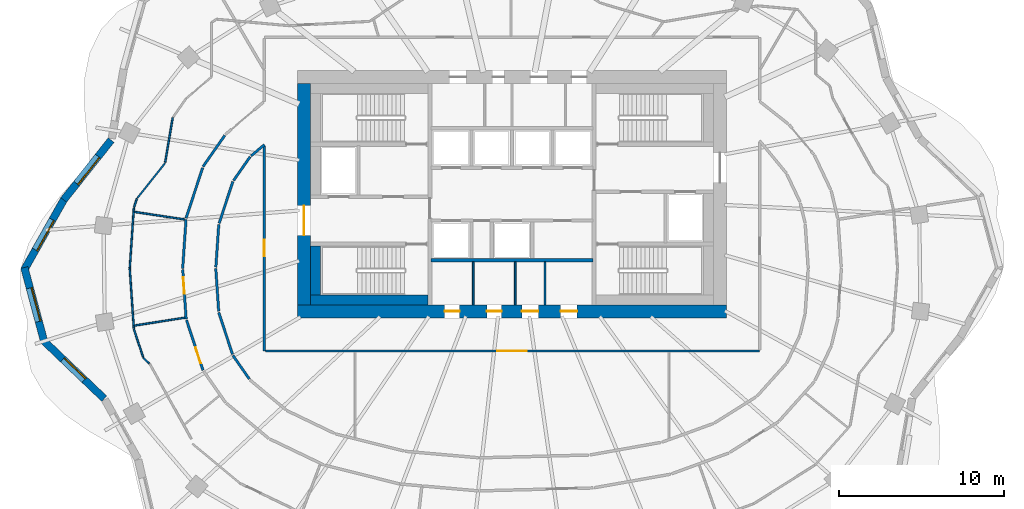
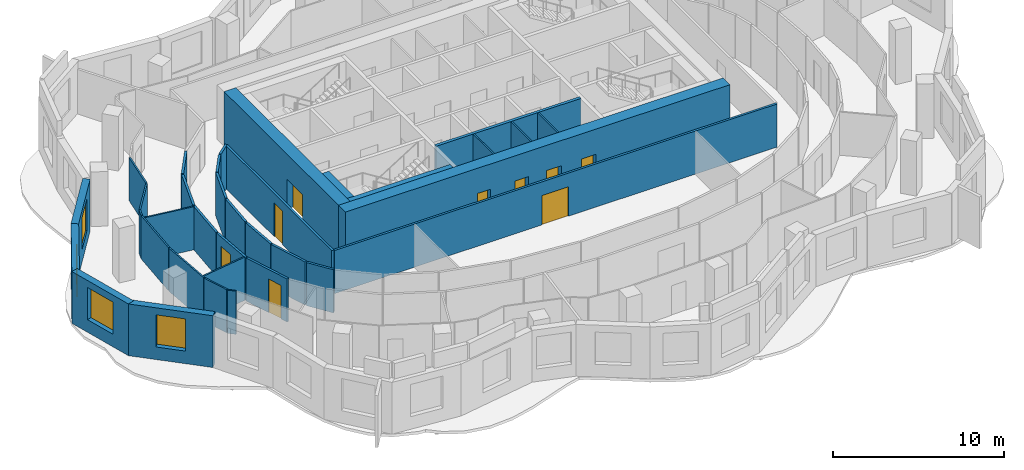
# One storey, part 4 of 10: 35 walls, 9 doors, 4 windows, 13 openings.
"""IFC4 building model written with IfcOpenShell, lengths in metres."""

from ifc_helpers import new_model, si_unit, direction, frame, frame_2d, origin, place, context, subcontext, project, spatial, rectangle, extrude, material, layer, layer_set, type_object, element, fill, save


model = new_model("IFC4")

# Units and contexts
model_context = context("Model", 3, precision=1e-05, world=origin(), true_north=direction((0.0, 1.0)))
body_context = subcontext(model_context, "Body", "Model", "MODEL_VIEW")
ifc_project = project(units=[si_unit("LENGTHUNIT", "METRE"), si_unit("AREAUNIT", "SQUARE_METRE"), si_unit("VOLUMEUNIT", "CUBIC_METRE"), si_unit("PLANEANGLEUNIT", "RADIAN"), si_unit("MASSUNIT", "GRAM", prefix="KILO")], contexts=[model_context])

# Site, building, storey
site_placement = place(None, origin())
site = spatial("IfcSite", under=ifc_project, at=site_placement, CompositionType="ELEMENT")
building_placement = place(site_placement, origin())
building = spatial("IfcBuilding", under=site, at=building_placement, Name="Rubra Terraces Tower", CompositionType="ELEMENT")
storey_placement = place(building_placement, frame((0.0, 0.0, 205.199951171875)))
storey = spatial("IfcBuildingStorey", under=building, at=storey_placement, Name="L50", CompositionType="ELEMENT", Elevation=205.199951171875)

# Wall, opening, window
ifc_material_1 = material(Name="Brick masonry red-brown", Category="masonry")
ifc_layer_1 = layer(ifc_material_1, 0.449951171875)
ifc_layer_set_1 = layer_set([ifc_layer_1], Name="Brick masonry red-brown")
wall_type_1 = type_object("IfcWallType", Name="Brick facade wall 450", PredefinedType="SOLIDWALL", material=ifc_layer_set_1)
wall_1_placement = place(storey_placement, frame((-24.2822265625, 7.773681640625, 0.0), z_axis=(0.0, 0.0, 1.0), x_axis=(-0.621735490397, -0.783227285008, 0.0)))
wall_1 = element("IfcWall", 1, at=wall_1_placement, inside=storey, type_object=wall_type_1, Name="Facade wall L50 bay 19", PredefinedType="SOLIDWALL", context=body_context, shape_type="SweptSolid", body=[
    extrude(rectangle(XDim=4.62451171875, YDim=0.449951171875, at=frame_2d((2.312255859375, 0.0))), origin(), (0.0, 0.0, 1.0), 3.699951171875),
])
opening_1_placement = place(wall_1_placement, frame((1.26220703125, 0.0, 0.89990234375)))
opening_1 = element("IfcOpeningElement", 2, at=opening_1_placement, cuts=wall_1, Name="Opening W1B", PredefinedType="OPENING", context=body_context, shape_type="SweptSolid", body=[
    extrude(rectangle(XDim=2.10009765625, YDim=2.300048828125, at=frame_2d((1.050048828125, 1.14990234375))), frame((0.0, 0.23486328125, 0.0), z_axis=(0.0, -1.0, 0.0), x_axis=(1.0, 0.0, 0.0)), (0.0, 0.0, 1.0), 0.469970703125),
])
ifc_material_2 = material(Name="Clear glass in aluminium frame", Category="aluminium")
window_type_1 = type_object("IfcWindowType", Name="Fixed deep-set window tall storey 2100 x 2300", PartitioningType="SINGLE_PANEL", PredefinedType="WINDOW", material=ifc_material_2)
window_1_placement = place(opening_1_placement, origin())
window_1 = element("IfcWindow", 3, at=window_1_placement, inside=storey, type_object=window_type_1, Name="Window L50 bay 19", OverallHeight=2.300048828125, OverallWidth=2.10009765625, PartitioningType="SINGLE_PANEL", PredefinedType="WINDOW", context=body_context, shape_type="SweptSolid", body=[
    extrude(rectangle(XDim=2.10009765625, YDim=2.300048828125, at=frame_2d((1.050048828125, 1.14990234375))), frame((0.0, 0.135009765625, 0.0), z_axis=(0.0, -1.0, 0.0), x_axis=(1.0, 0.0, 0.0)), (0.0, 0.0, 1.0), 0.06005859375),
])
fill(opening_1, window_1)

wall_2_placement = place(storey_placement, frame((-27.138427734375, 4.180908203125, 0.0), z_axis=(0.0, 0.0, 1.0), x_axis=(-0.491588303761, -0.870827732451, 0.0)))
wall_2 = element("IfcWall", 4, at=wall_2_placement, inside=storey, type_object=wall_type_1, Name="Facade wall L50 bay 20", PredefinedType="SOLIDWALL", context=body_context, shape_type="SweptSolid", body=[
    extrude(rectangle(XDim=4.924072265625, YDim=0.449951171875, at=frame_2d((2.4619140625, 0.0))), origin(), (0.0, 0.0, 1.0), 3.699951171875),
])
opening_2_placement = place(wall_2_placement, frame((1.412109375, 0.0, 0.89990234375)))
opening_2 = element("IfcOpeningElement", 5, at=opening_2_placement, cuts=wall_2, Name="Opening W1B", PredefinedType="OPENING", context=body_context, shape_type="SweptSolid", body=[
    extrude(rectangle(XDim=2.10009765625, YDim=2.300048828125, at=frame_2d((1.050048828125, 1.14990234375))), frame((0.0, 0.23486328125, 0.0), z_axis=(0.0, -1.0, 0.0), x_axis=(1.0, 0.0, 0.0)), (0.0, 0.0, 1.0), 0.469970703125),
])
window_2_placement = place(opening_2_placement, origin())
window_2 = element("IfcWindow", 6, at=window_2_placement, inside=storey, type_object=window_type_1, Name="Window L50 bay 20", OverallHeight=2.300048828125, OverallWidth=2.10009765625, PartitioningType="SINGLE_PANEL", PredefinedType="WINDOW", context=body_context, shape_type="SweptSolid", body=[
    extrude(rectangle(XDim=2.10009765625, YDim=2.300048828125, at=frame_2d((1.050048828125, 1.14990234375))), frame((0.0, 0.135009765625, 0.0), z_axis=(0.0, -1.0, 0.0), x_axis=(1.0, 0.0, 0.0)), (0.0, 0.0, 1.0), 0.06005859375),
])
fill(opening_2, window_2)

wall_3_placement = place(storey_placement, frame((-29.539794921875, 0.05810546875, 0.0), z_axis=(0.0, 0.0, 1.0), x_axis=(0.258581372102, -0.96598947924, 0.0)))
wall_3 = element("IfcWall", 7, at=wall_3_placement, inside=storey, type_object=wall_type_1, Name="Facade wall L50 bay 21", PredefinedType="SOLIDWALL", context=body_context, shape_type="SweptSolid", body=[
    extrude(rectangle(XDim=4.68017578125, YDim=0.449951171875, at=frame_2d((2.340087890625, 0.0))), origin(), (0.0, 0.0, 1.0), 3.699951171875),
])
opening_3_placement = place(wall_3_placement, frame((1.2900390625, 0.0, 0.89990234375)))
opening_3 = element("IfcOpeningElement", 8, at=opening_3_placement, cuts=wall_3, Name="Opening W1B", PredefinedType="OPENING", context=body_context, shape_type="SweptSolid", body=[
    extrude(rectangle(XDim=2.10009765625, YDim=2.300048828125, at=frame_2d((1.050048828125, 1.14990234375))), frame((0.0, 0.23486328125, 0.0), z_axis=(0.0, -1.0, 0.0), x_axis=(1.0, 0.0, 0.0)), (0.0, 0.0, 1.0), 0.469970703125),
])
window_3_placement = place(opening_3_placement, origin())
window_3 = element("IfcWindow", 9, at=window_3_placement, inside=storey, type_object=window_type_1, Name="Window L50 bay 21", OverallHeight=2.300048828125, OverallWidth=2.10009765625, PartitioningType="SINGLE_PANEL", PredefinedType="WINDOW", context=body_context, shape_type="SweptSolid", body=[
    extrude(rectangle(XDim=2.10009765625, YDim=2.300048828125, at=frame_2d((1.050048828125, 1.14990234375))), frame((0.0, 0.135009765625, 0.0), z_axis=(0.0, -1.0, 0.0), x_axis=(1.0, 0.0, 0.0)), (0.0, 0.0, 1.0), 0.06005859375),
])
fill(opening_3, window_3)

wall_4_placement = place(storey_placement, frame((-28.38720703125, -4.362548828125, 0.0), z_axis=(0.0, 0.0, 1.0), x_axis=(0.722717697728, -0.691143349379, 0.0)))
wall_4 = element("IfcWall", 10, at=wall_4_placement, inside=storey, type_object=wall_type_1, Name="Facade wall L50 bay 22", PredefinedType="SOLIDWALL", context=body_context, shape_type="SweptSolid", body=[
    extrude(rectangle(XDim=5.103271484375, YDim=0.449951171875, at=frame_2d((2.5517578125, 0.0))), origin(), (0.0, 0.0, 1.0), 3.699951171875),
])
opening_4_placement = place(wall_4_placement, frame((1.651611328125, 0.0, 0.89990234375)))
opening_4 = element("IfcOpeningElement", 11, at=opening_4_placement, cuts=wall_4, Name="Opening W6B", PredefinedType="OPENING", context=body_context, shape_type="SweptSolid", body=[
    extrude(rectangle(XDim=1.800048828125, YDim=2.300048828125, at=frame_2d((0.89990234375, 1.14990234375))), frame((0.0, 0.23486328125, 0.0), z_axis=(0.0, -1.0, 0.0), x_axis=(1.0, 0.0, 0.0)), (0.0, 0.0, 1.0), 0.469970703125),
])
window_type_2 = type_object("IfcWindowType", Name="Fixed deep-set window at wind fin tall storey 1800 x 2300", PartitioningType="SINGLE_PANEL", PredefinedType="WINDOW", material=ifc_material_2)
window_4_placement = place(opening_4_placement, origin())
window_4 = element("IfcWindow", 12, at=window_4_placement, inside=storey, type_object=window_type_2, Name="Window L50 bay 22", OverallHeight=2.300048828125, OverallWidth=1.800048828125, PartitioningType="SINGLE_PANEL", PredefinedType="WINDOW", context=body_context, shape_type="SweptSolid", body=[
    extrude(rectangle(XDim=1.800048828125, YDim=2.300048828125, at=frame_2d((0.89990234375, 1.14990234375))), frame((0.0, 0.135009765625, 0.0), z_axis=(0.0, -1.0, 0.0), x_axis=(1.0, 0.0, 0.0)), (0.0, 0.0, 1.0), 0.06005859375),
])
fill(opening_4, window_4)

# Wall, openings, doors
ifc_material_3 = material(Name="Concrete C50", Category="concrete")
ifc_layer_2 = layer(ifc_material_3, 0.800048828125)
ifc_layer_set_2 = layer_set([ifc_layer_2], Name="Concrete C50")
wall_type_2 = type_object("IfcWallType", Name="CORE WALL 800 C50", PredefinedType="SHEAR", material=ifc_layer_set_2)
wall_5_placement = place(storey_placement, frame((-13.0, -2.60009765625, 0.0), z_axis=(0.0, 0.0, 1.0), x_axis=(1.0, 0.0, 0.0)))
wall_5 = element("IfcWall", 13, at=wall_5_placement, inside=storey, type_object=wall_type_2, Name="CORE WALL S L50", PredefinedType="SHEAR", context=body_context, shape_type="SweptSolid", body=[
    extrude(rectangle(XDim=26.0, YDim=0.800048828125, at=frame_2d((13.0, 0.0))), origin(), (0.0, 0.0, 1.0), 3.900146484375),
])
opening_5_placement = place(wall_5_placement, frame((8.925048828125, 0.0, 0.0)))
opening_5 = element("IfcOpeningElement", 14, at=opening_5_placement, cuts=wall_5, Name="Opening L50.C21", PredefinedType="OPENING", context=body_context, shape_type="SweptSolid", body=[
    extrude(rectangle(XDim=0.89990234375, YDim=2.10009765625, at=frame_2d((0.449951171875, 1.050048828125))), frame((0.0, 0.409912109375, 0.0), z_axis=(0.0, -1.0, 0.0), x_axis=(1.0, 0.0, 0.0)), (0.0, 0.0, 1.0), 0.820068359375),
])
opening_6_placement = place(wall_5_placement, frame((11.47509765625, 0.0, 0.0)))
opening_6 = element("IfcOpeningElement", 15, at=opening_6_placement, cuts=wall_5, Name="Opening L50.C22", PredefinedType="OPENING", context=body_context, shape_type="SweptSolid", body=[
    extrude(rectangle(XDim=0.89990234375, YDim=2.10009765625, at=frame_2d((0.449951171875, 1.050048828125))), frame((0.0, 0.409912109375, 0.0), z_axis=(0.0, -1.0, 0.0), x_axis=(1.0, 0.0, 0.0)), (0.0, 0.0, 1.0), 0.820068359375),
])
opening_7_placement = place(wall_5_placement, frame((13.60009765625, 0.0, 0.0)))
opening_7 = element("IfcOpeningElement", 16, at=opening_7_placement, cuts=wall_5, Name="Opening L50.C23", PredefinedType="OPENING", context=body_context, shape_type="SweptSolid", body=[
    extrude(rectangle(XDim=1.0, YDim=2.10009765625, at=frame_2d((0.5, 1.050048828125))), frame((0.0, 0.409912109375, 0.0), z_axis=(0.0, -1.0, 0.0), x_axis=(1.0, 0.0, 0.0)), (0.0, 0.0, 1.0), 0.820068359375),
])
opening_8_placement = place(wall_5_placement, frame((15.949951171875, 0.0, 0.0)))
opening_8 = element("IfcOpeningElement", 17, at=opening_8_placement, cuts=wall_5, Name="Opening L50.C24", PredefinedType="OPENING", context=body_context, shape_type="SweptSolid", body=[
    extrude(rectangle(XDim=1.0, YDim=2.10009765625, at=frame_2d((0.5, 1.050048828125))), frame((0.0, 0.409912109375, 0.0), z_axis=(0.0, -1.0, 0.0), x_axis=(1.0, 0.0, 0.0)), (0.0, 0.0, 1.0), 0.820068359375),
])
ifc_material_4 = material(Name="Painted steel", Category="steel")
door_type_1 = type_object("IfcDoorType", Name="Fire door 1000x2100 single", OperationType="NOTDEFINED", PredefinedType="DOOR", material=ifc_material_4)
door_1_placement = place(opening_7_placement, origin())
door_1 = element("IfcDoor", 18, at=door_1_placement, inside=storey, type_object=door_type_1, Name="Accessible WC door", OperationType="SINGLE_SWING_LEFT", OverallHeight=2.10009765625, OverallWidth=1.0, PredefinedType="DOOR", context=body_context, shape_type="SweptSolid", body=[
    extrude(rectangle(XDim=1.0, YDim=2.10009765625, at=frame_2d((0.5, 1.050048828125))), frame((0.0, 0.02490234375, 0.0), z_axis=(0.0, -1.0, 0.0), x_axis=(1.0, 0.0, 0.0)), (0.0, 0.0, 1.0), 0.050048828125),
])
fill(opening_7, door_1)
door_2_placement = place(opening_8_placement, origin())
door_2 = element("IfcDoor", 19, at=door_2_placement, inside=storey, type_object=door_type_1, Name="General store door", OperationType="SINGLE_SWING_RIGHT", OverallHeight=2.10009765625, OverallWidth=1.0, PredefinedType="DOOR", context=body_context, shape_type="SweptSolid", body=[
    extrude(rectangle(XDim=1.0, YDim=2.10009765625, at=frame_2d((0.5, 1.050048828125))), frame((0.0, 0.02490234375, 0.0), z_axis=(0.0, -1.0, 0.0), x_axis=(1.0, 0.0, 0.0)), (0.0, 0.0, 1.0), 0.050048828125),
])
fill(opening_8, door_2)
door_type_2 = type_object("IfcDoorType", Name="Fire door 900x2100 single", OperationType="NOTDEFINED", PredefinedType="DOOR", material=ifc_material_4)
door_3_placement = place(opening_5_placement, origin())
door_3 = element("IfcDoor", 20, at=door_3_placement, inside=storey, type_object=door_type_2, Name="Ladies WC door", OperationType="SINGLE_SWING_LEFT", OverallHeight=2.10009765625, OverallWidth=0.89990234375, PredefinedType="DOOR", context=body_context, shape_type="SweptSolid", body=[
    extrude(rectangle(XDim=0.89990234375, YDim=2.10009765625, at=frame_2d((0.449951171875, 1.050048828125))), frame((0.0, 0.02490234375, 0.0), z_axis=(0.0, -1.0, 0.0), x_axis=(1.0, 0.0, 0.0)), (0.0, 0.0, 1.0), 0.050048828125),
])
fill(opening_5, door_3)
door_4_placement = place(opening_6_placement, origin())
door_4 = element("IfcDoor", 21, at=door_4_placement, inside=storey, type_object=door_type_2, Name="Gents WC door", OperationType="SINGLE_SWING_RIGHT", OverallHeight=2.10009765625, OverallWidth=0.89990234375, PredefinedType="DOOR", context=body_context, shape_type="SweptSolid", body=[
    extrude(rectangle(XDim=0.89990234375, YDim=2.10009765625, at=frame_2d((0.449951171875, 1.050048828125))), frame((0.0, 0.02490234375, 0.0), z_axis=(0.0, -1.0, 0.0), x_axis=(1.0, 0.0, 0.0)), (0.0, 0.0, 1.0), 0.050048828125),
])
fill(opening_6, door_4)

# Wall, opening, door
wall_6_placement = place(storey_placement, frame((-12.60009765625, -2.199951171875, 0.0), z_axis=(0.0, 0.0, 1.0), x_axis=(0.0, 1.0, 0.0)))
wall_6 = element("IfcWall", 22, at=wall_6_placement, inside=storey, type_object=wall_type_2, Name="CORE WALL W L50", PredefinedType="SHEAR", context=body_context, shape_type="SweptSolid", body=[
    extrude(rectangle(XDim=13.39990234375, YDim=0.800048828125, at=frame_2d((6.699951171875, 0.0))), origin(), (0.0, 0.0, 1.0), 3.900146484375),
])
opening_9_placement = place(wall_6_placement, frame((4.199951171875, 0.0, 0.0)))
opening_9 = element("IfcOpeningElement", 23, at=opening_9_placement, cuts=wall_6, Name="Opening L50.C01", PredefinedType="OPENING", context=body_context, shape_type="SweptSolid", body=[
    extrude(rectangle(XDim=1.800048828125, YDim=2.10009765625, at=frame_2d((0.89990234375, 1.050048828125))), frame((0.0, 0.409912109375, 0.0), z_axis=(0.0, -1.0, 0.0), x_axis=(1.0, 0.0, 0.0)), (0.0, 0.0, 1.0), 0.820068359375),
])
door_type_3 = type_object("IfcDoorType", Name="Fire door 1800x2100 double", OperationType="NOTDEFINED", PredefinedType="DOOR", material=ifc_material_4)
door_5_placement = place(opening_9_placement, origin())
door_5 = element("IfcDoor", 24, at=door_5_placement, inside=storey, type_object=door_type_3, Name="Core entrance door FF1", OperationType="DOUBLE_DOOR_SINGLE_SWING", OverallHeight=2.10009765625, OverallWidth=1.800048828125, PredefinedType="DOOR", context=body_context, shape_type="SweptSolid", body=[
    extrude(rectangle(XDim=1.800048828125, YDim=2.10009765625, at=frame_2d((0.89990234375, 1.050048828125))), frame((0.0, 0.02490234375, 0.0), z_axis=(0.0, -1.0, 0.0), x_axis=(1.0, 0.0, 0.0)), (0.0, 0.0, 1.0), 0.050048828125),
])
fill(opening_9, door_5)

# Walls
ifc_material_5 = material(Name="Plasterboard on steel stud, mineral wool infill", Category="steel")
ifc_layer_3 = layer(ifc_material_5, 0.14990234375)
ifc_layer_set_3 = layer_set([ifc_layer_3], Name="Plasterboard on steel stud, mineral wool infill")
wall_type_3 = type_object("IfcWallType", Name="CORRIDOR PARTITION 150", PredefinedType="PARTITIONING", material=ifc_layer_set_3)
wall_7_placement = place(storey_placement, frame((-17.3974609375, 8.0615234375, 0.0), z_axis=(0.0, 0.0, 1.0), x_axis=(-0.572118665737, -0.820170855563, 0.0)))
element("IfcWall", 25, at=wall_7_placement, inside=storey, type_object=wall_type_3, Name="PARTITION", PredefinedType="PARTITIONING", context=body_context, shape_type="SweptSolid", body=[
    extrude(rectangle(XDim=2.30615234375, YDim=0.14990234375, at=frame_2d((1.153076171875, 0.0))), origin(), (0.0, 0.0, 1.0), 3.083984375),
])
wall_8_placement = place(storey_placement, frame((-18.740234375, 6.098876953125, 0.0), z_axis=(0.0, 0.0, 1.0), x_axis=(-0.31188427026, -0.950120098706, 0.0)))
element("IfcWall", 26, at=wall_8_placement, inside=storey, type_object=wall_type_3, Name="PARTITION", PredefinedType="PARTITIONING", context=body_context, shape_type="SweptSolid", body=[
    extrude(rectangle(XDim=3.206298828125, YDim=0.14990234375, at=frame_2d((1.60302734375, 0.0))), origin(), (0.0, 0.0, 1.0), 3.083984375),
])
wall_9_placement = place(storey_placement, frame((-19.745361328125, 2.9775390625, 0.0), z_axis=(0.0, 0.0, 1.0), x_axis=(-0.068142324, -0.997675610447, 0.0)))
element("IfcWall", 27, at=wall_9_placement, inside=storey, type_object=wall_type_3, Name="PARTITION", PredefinedType="PARTITIONING", context=body_context, shape_type="SweptSolid", body=[
    extrude(rectangle(XDim=2.984375, YDim=0.14990234375, at=frame_2d((1.4921875, 0.0))), origin(), (0.0, 0.0, 1.0), 3.083984375),
])

# Wall, opening, door
wall_10_placement = place(storey_placement, frame((-19.943603515625, -0.07470703125, 0.0), z_axis=(0.0, 0.0, 1.0), x_axis=(0.068136763128, -0.997675990245, 0.0)))
wall_10 = element("IfcWall", 28, at=wall_10_placement, inside=storey, type_object=wall_type_3, Name="PARTITION", PredefinedType="PARTITIONING", context=body_context, shape_type="SweptSolid", body=[
    extrude(rectangle(XDim=2.984619140625, YDim=0.14990234375, at=frame_2d((1.4921875, 0.0))), origin(), (0.0, 0.0, 1.0), 3.083984375),
])
opening_10_placement = place(wall_10_placement, frame((0.449951171875, 0.0, 0.0)))
opening_10 = element("IfcOpeningElement", 29, at=opening_10_placement, cuts=wall_10, Name="Opening 50-103", PredefinedType="OPENING", context=body_context, shape_type="SweptSolid", body=[
    extrude(rectangle(XDim=1.0, YDim=2.39990234375, at=frame_2d((0.5, 1.199951171875))), frame((0.0, 0.0849609375, 0.0), z_axis=(0.0, -1.0, 0.0), x_axis=(1.0, 0.0, 0.0)), (0.0, 0.0, 1.0), 0.169921875),
])
ifc_material_6 = material(Name="Glazed aluminium meeting door leaf", Category="aluminium")
door_type_4 = type_object("IfcDoorType", Name="MEETING ROOM GLAZED DOOR 1000 X 2400", OperationType="SINGLE_SWING_LEFT", PredefinedType="DOOR", material=ifc_material_6)
door_6_placement = place(opening_10_placement, origin())
door_6 = element("IfcDoor", 30, at=door_6_placement, inside=storey, type_object=door_type_4, Name="DOOR 50-103", OperationType="SINGLE_SWING_RIGHT", OverallHeight=2.39990234375, OverallWidth=1.0, PredefinedType="DOOR", context=body_context, shape_type="SweptSolid", body=[
    extrude(rectangle(XDim=1.0, YDim=2.39990234375, at=frame_2d((0.5, 1.199951171875))), frame((0.0, 0.02490234375, 0.0), z_axis=(0.0, -1.0, 0.0), x_axis=(1.0, 0.0, 0.0)), (0.0, 0.0, 1.0), 0.050048828125),
])
fill(opening_10, door_6)

wall_11_placement = place(storey_placement, frame((-19.716796875, -3.123779296875, 0.0), z_axis=(0.0, 0.0, 1.0), x_axis=(0.31188427026, -0.950120098706, 0.0)))
wall_11 = element("IfcWall", 31, at=wall_11_placement, inside=storey, type_object=wall_type_3, Name="PARTITION", PredefinedType="PARTITIONING", context=body_context, shape_type="SweptSolid", body=[
    extrude(rectangle(XDim=3.206298828125, YDim=0.14990234375, at=frame_2d((1.60302734375, 0.0))), origin(), (0.0, 0.0, 1.0), 3.083984375),
])
opening_11_placement = place(wall_11_placement, frame((1.75, 0.0, 0.0)))
opening_11 = element("IfcOpeningElement", 32, at=opening_11_placement, cuts=wall_11, Name="Opening 50-104", PredefinedType="OPENING", context=body_context, shape_type="SweptSolid", body=[
    extrude(rectangle(XDim=1.0, YDim=2.39990234375, at=frame_2d((0.5, 1.199951171875))), frame((0.0, 0.0849609375, 0.0), z_axis=(0.0, -1.0, 0.0), x_axis=(1.0, 0.0, 0.0)), (0.0, 0.0, 1.0), 0.169921875),
])
door_7_placement = place(opening_11_placement, origin())
door_7 = element("IfcDoor", 33, at=door_7_placement, inside=storey, type_object=door_type_4, Name="DOOR 50-104", OperationType="SINGLE_SWING_RIGHT", OverallHeight=2.39990234375, OverallWidth=1.0, PredefinedType="DOOR", context=body_context, shape_type="SweptSolid", body=[
    extrude(rectangle(XDim=1.0, YDim=2.39990234375, at=frame_2d((0.5, 1.199951171875))), frame((0.0, 0.02490234375, 0.0), z_axis=(0.0, -1.0, 0.0), x_axis=(1.0, 0.0, 0.0)), (0.0, 0.0, 1.0), 0.050048828125),
])
fill(opening_11, door_7)

# Walls
wall_12_placement = place(storey_placement, frame((-15.911865234375, -6.695556640625, 0.0), z_axis=(0.0, 0.0, 1.0), x_axis=(-0.572078533763, 0.820198848578, 0.0)))
element("IfcWall", 34, at=wall_12_placement, inside=storey, type_object=wall_type_3, Name="PARTITION", PredefinedType="PARTITIONING", context=body_context, shape_type="SweptSolid", body=[
    extrude(rectangle(XDim=1.74169921875, YDim=0.14990234375, at=frame_2d((0.870849609375, 0.0))), origin(), (0.0, 0.0, 1.0), 3.083984375),
])
wall_13_placement = place(storey_placement, frame((-16.931640625, -5.19580078125, 0.0), z_axis=(0.0, 0.0, 1.0), x_axis=(-0.311904957484, 0.950113307715, 0.0)))
element("IfcWall", 35, at=wall_13_placement, inside=storey, type_object=wall_type_3, Name="PARTITION", PredefinedType="PARTITIONING", context=body_context, shape_type="SweptSolid", body=[
    extrude(rectangle(XDim=2.662109375, YDim=0.14990234375, at=frame_2d((1.3310546875, 0.0))), origin(), (0.0, 0.0, 1.0), 3.083984375),
])
wall_14_placement = place(storey_placement, frame((-17.76708984375, -2.591552734375, 0.0), z_axis=(0.0, 0.0, 1.0), x_axis=(-0.068140828228, 0.997675712608, 0.0)))
element("IfcWall", 36, at=wall_14_placement, inside=storey, type_object=wall_type_3, Name="PARTITION", PredefinedType="PARTITIONING", context=body_context, shape_type="SweptSolid", body=[
    extrude(rectangle(XDim=2.59765625, YDim=0.14990234375, at=frame_2d((1.298828125, 0.0))), origin(), (0.0, 0.0, 1.0), 3.083984375),
])
wall_15_placement = place(storey_placement, frame((-17.939208984375, 0.07470703125, 0.0), z_axis=(0.0, 0.0, 1.0), x_axis=(0.068227980697, 0.997669756307, 0.0)))
element("IfcWall", 37, at=wall_15_placement, inside=storey, type_object=wall_type_3, Name="PARTITION", PredefinedType="PARTITIONING", context=body_context, shape_type="SweptSolid", body=[
    extrude(rectangle(XDim=2.597900390625, YDim=0.14990234375, at=frame_2d((1.298828125, 0.0))), origin(), (0.0, 0.0, 1.0), 3.083984375),
])
wall_16_placement = place(storey_placement, frame((-17.738525390625, 2.73779296875, 0.0), z_axis=(0.0, 0.0, 1.0), x_axis=(0.311904957484, 0.950113307715, 0.0)))
element("IfcWall", 38, at=wall_16_placement, inside=storey, type_object=wall_type_3, Name="PARTITION", PredefinedType="PARTITIONING", context=body_context, shape_type="SweptSolid", body=[
    extrude(rectangle(XDim=2.662109375, YDim=0.14990234375, at=frame_2d((1.3310546875, 0.0))), origin(), (0.0, 0.0, 1.0), 3.083984375),
])
wall_17_placement = place(storey_placement, frame((-16.865478515625, 5.32861328125, 0.0), z_axis=(0.0, 0.0, 1.0), x_axis=(0.572096615639, 0.820186236397, 0.0)))
element("IfcWall", 39, at=wall_17_placement, inside=storey, type_object=wall_type_3, Name="PARTITION", PredefinedType="PARTITIONING", context=body_context, shape_type="SweptSolid", body=[
    extrude(rectangle(XDim=1.752685546875, YDim=0.14990234375, at=frame_2d((0.87646484375, 0.0))), origin(), (0.0, 0.0, 1.0), 3.083984375),
])
wall_18_placement = place(storey_placement, frame((-15.805419921875, 6.814453125, 0.0), z_axis=(0.0, 0.0, 1.0), x_axis=(0.762298381233, 0.647225755027, 0.0)))
element("IfcWall", 40, at=wall_18_placement, inside=storey, type_object=wall_type_3, Name="PARTITION", PredefinedType="PARTITIONING", context=body_context, shape_type="SweptSolid", body=[
    extrude(rectangle(XDim=1.056640625, YDim=0.14990234375, at=frame_2d((0.5283203125, 0.0))), origin(), (0.0, 0.0, 1.0), 3.083984375),
])

# Wall, opening, door
wall_19_placement = place(storey_placement, frame((-15.0, 7.423095703125, 0.0), z_axis=(0.0, 0.0, 1.0), x_axis=(0.0, -1.0, 0.0)))
wall_19 = element("IfcWall", 41, at=wall_19_placement, inside=storey, type_object=wall_type_3, Name="PARTITION", PredefinedType="PARTITIONING", context=body_context, shape_type="SweptSolid", body=[
    extrude(rectangle(XDim=12.423095703125, YDim=0.14990234375, at=frame_2d((6.21142578125, 0.0))), origin(), (0.0, 0.0, 1.0), 3.083984375),
])
opening_12_placement = place(wall_19_placement, frame((5.674072265625, 0.0, 0.0)))
opening_12 = element("IfcOpeningElement", 42, at=opening_12_placement, cuts=wall_19, Name="Opening 50-116", PredefinedType="OPENING", context=body_context, shape_type="SweptSolid", body=[
    extrude(rectangle(XDim=1.0, YDim=2.39990234375, at=frame_2d((0.5, 1.199951171875))), frame((0.0, 0.0849609375, 0.0), z_axis=(0.0, -1.0, 0.0), x_axis=(1.0, 0.0, 0.0)), (0.0, 0.0, 1.0), 0.169921875),
])
door_8_placement = place(opening_12_placement, origin())
door_8 = element("IfcDoor", 43, at=door_8_placement, inside=storey, type_object=door_type_4, Name="DOOR 50-116", OperationType="SINGLE_SWING_RIGHT", OverallHeight=2.39990234375, OverallWidth=1.0, PredefinedType="DOOR", context=body_context, shape_type="SweptSolid", body=[
    extrude(rectangle(XDim=1.0, YDim=2.39990234375, at=frame_2d((0.5, 1.199951171875))), frame((0.0, 0.02490234375, 0.0), z_axis=(0.0, -1.0, 0.0), x_axis=(1.0, 0.0, 0.0)), (0.0, 0.0, 1.0), 0.050048828125),
])
fill(opening_12, door_8)

wall_20_placement = place(storey_placement, frame((-14.925048828125, -5.0, 0.0), z_axis=(0.0, 0.0, 1.0), x_axis=(1.0, 0.0, 0.0)))
wall_20 = element("IfcWall", 44, at=wall_20_placement, inside=storey, type_object=wall_type_3, Name="PARTITION", PredefinedType="PARTITIONING", context=body_context, shape_type="SweptSolid", body=[
    extrude(rectangle(XDim=29.925048828125, YDim=0.14990234375, at=frame_2d((14.96240234375, 0.0))), origin(), (0.0, 0.0, 1.0), 3.083984375),
])
opening_13_placement = place(wall_20_placement, frame((14.02490234375, 0.0, 0.0)))
opening_13 = element("IfcOpeningElement", 45, at=opening_13_placement, cuts=wall_20, Name="Opening 50-117", PredefinedType="OPENING", context=body_context, shape_type="SweptSolid", body=[
    extrude(rectangle(XDim=1.800048828125, YDim=2.10009765625, at=frame_2d((0.89990234375, 1.050048828125))), frame((0.0, 0.0849609375, 0.0), z_axis=(0.0, -1.0, 0.0), x_axis=(1.0, 0.0, 0.0)), (0.0, 0.0, 1.0), 0.169921875),
])
ifc_material_7 = material(Name="Painted timber door leaf, double", Category="wood")
door_type_5 = type_object("IfcDoorType", Name="ROOM DOUBLE DOOR 1800 X 2100", OperationType="DOUBLE_DOOR_SINGLE_SWING", PredefinedType="DOOR", material=ifc_material_7)
door_9_placement = place(opening_13_placement, origin())
door_9 = element("IfcDoor", 46, at=door_9_placement, inside=storey, type_object=door_type_5, Name="DOOR 50-117", OperationType="DOUBLE_DOOR_SINGLE_SWING", OverallHeight=2.10009765625, OverallWidth=1.800048828125, PredefinedType="DOOR", context=body_context, shape_type="SweptSolid", body=[
    extrude(rectangle(XDim=1.800048828125, YDim=2.10009765625, at=frame_2d((0.89990234375, 1.050048828125))), frame((0.0, 0.02490234375, 0.0), z_axis=(0.0, -1.0, 0.0), x_axis=(1.0, 0.0, 0.0)), (0.0, 0.0, 1.0), 0.050048828125),
])
fill(opening_13, door_9)

# Walls
ifc_material_8 = material(Name="Concrete C40", Category="concrete")
ifc_layer_4 = layer(ifc_material_8, 0.60009765625)
ifc_layer_set_4 = layer_set([ifc_layer_4], Name="Concrete C40")
wall_type_4 = type_object("IfcWallType", Name="Core lining wall 600 concrete", PredefinedType="SOLIDWALL", material=ifc_layer_set_4)
wall_21_placement = place(storey_placement, frame((-12.199951171875, -1.89990234375, 0.0), z_axis=(0.0, 0.0, 1.0), x_axis=(1.0, 0.0, 0.0)))
element("IfcWall", 47, at=wall_21_placement, inside=storey, type_object=wall_type_4, Name="CORE LINING WALL L50", PredefinedType="SOLIDWALL", context=body_context, shape_type="SweptSolid", body=[
    extrude(rectangle(XDim=7.099853515625, YDim=0.60009765625, at=frame_2d((3.5498046875, 0.0))), origin(), (0.0, 0.0, 1.0), 3.699951171875),
])
wall_22_placement = place(storey_placement, frame((-11.89990234375, -1.60009765625, 0.0), z_axis=(0.0, 0.0, 1.0), x_axis=(0.0, 1.0, 0.0)))
element("IfcWall", 48, at=wall_22_placement, inside=storey, type_object=wall_type_4, Name="CORE LINING WALL L50", PredefinedType="SOLIDWALL", context=body_context, shape_type="SweptSolid", body=[
    extrude(rectangle(XDim=2.9501953125, YDim=0.60009765625, at=frame_2d((1.47509765625, 0.0))), origin(), (0.0, 0.0, 1.0), 3.699951171875),
])
ifc_material_9 = material(Name="Concrete C30", Category="concrete")
ifc_layer_5 = layer(ifc_material_9, 0.199951171875)
ifc_layer_set_5 = layer_set([ifc_layer_5], Name="Concrete C30")
wall_type_5 = type_object("IfcWallType", Name="Core wall 200 concrete", PredefinedType="SOLIDWALL", material=ifc_layer_set_5)
wall_23_placement = place(storey_placement, frame((-4.89990234375, 0.5, 0.0), z_axis=(0.0, 0.0, 1.0), x_axis=(1.0, 0.0, 0.0)))
element("IfcWall", 49, at=wall_23_placement, inside=storey, type_object=wall_type_5, Name="LIFT SHAFT WALL L50", PredefinedType="SOLIDWALL", context=body_context, shape_type="SweptSolid", body=[
    extrude(rectangle(XDim=9.7998046875, YDim=0.199951171875, at=frame_2d((4.89990234375, 0.0))), origin(), (0.0, 0.0, 1.0), 3.699951171875),
])
ifc_material_10 = material(Name="Plasterboard on steel stud", Category="steel")
ifc_layer_6 = layer(ifc_material_10, 0.10009765625)
ifc_layer_set_6 = layer_set([ifc_layer_6], Name="Plasterboard on steel stud")
wall_type_6 = type_object("IfcWallType", Name="ROOM PARTITION 100", PredefinedType="PARTITIONING", material=ifc_layer_set_6)
wall_24_placement = place(storey_placement, frame((-21.9716796875, -5.7587890625, 0.0), z_axis=(0.0, 0.0, 1.0), x_axis=(-0.723023181431, 0.690823768492, 0.0)))
element("IfcWall", 50, at=wall_24_placement, inside=storey, type_object=wall_type_6, Name="PARTITION", PredefinedType="PARTITIONING", context=body_context, shape_type="SweptSolid", body=[
    extrude(rectangle(XDim=0.50048828125, YDim=0.10009765625, at=frame_2d((0.250244140625, 0.0))), origin(), (0.0, 0.0, 1.0), 3.083984375),
])
wall_25_placement = place(storey_placement, frame((-22.34912109375, -5.365478515625, 0.0), z_axis=(0.0, 0.0, 1.0), x_axis=(-0.31179164655, 0.950150498154, 0.0)))
element("IfcWall", 51, at=wall_25_placement, inside=storey, type_object=wall_type_6, Name="PARTITION", PredefinedType="PARTITIONING", context=body_context, shape_type="SweptSolid", body=[
    extrude(rectangle(XDim=1.784423828125, YDim=0.10009765625, at=frame_2d((0.89208984375, 0.0))), origin(), (0.0, 0.0, 1.0), 3.083984375),
])
for number, where, z_axis, x_axis, name in (
    (52, (-22.908935546875, -3.6201171875, 0.0), (0.0, 0.0, 1.0), (-0.068157831153, 0.99767455117, 0.0), "PARTITION"),
    (53, (-23.15283203125, 0.0498046875, 0.0), (0.0, 0.0, 1.0), (0.068157831153, 0.99767455117, 0.0), "PARTITION"),
):
    element("IfcWall", number, at=place(storey_placement, frame(where, z_axis=z_axis, x_axis=x_axis)), inside=storey, type_object=wall_type_6, Name=name, PredefinedType="PARTITIONING", context=body_context, shape_type="SweptSolid", body=[
        extrude(rectangle(XDim=3.628662109375, YDim=0.10009765625, at=frame_2d((1.814453125, 0.0))), origin(), (0.0, 0.0, 1.0), 3.083984375),
    ])
wall_26_placement = place(storey_placement, frame((-22.889892578125, 3.717529296875, 0.0), z_axis=(0.0, 0.0, 1.0), x_axis=(0.312025196938, 0.950073826856, 0.0)))
element("IfcWall", 54, at=wall_26_placement, inside=storey, type_object=wall_type_6, Name="PARTITION", PredefinedType="PARTITIONING", context=body_context, shape_type="SweptSolid", body=[
    extrude(rectangle(XDim=0.540771484375, YDim=0.10009765625, at=frame_2d((0.2705078125, 0.0))), origin(), (0.0, 0.0, 1.0), 3.083984375),
])
wall_27_placement = place(storey_placement, frame((-22.690185546875, 4.2705078125, 0.0), z_axis=(0.0, 0.0, 1.0), x_axis=(0.621754304835, 0.783212349507, 0.0)))
element("IfcWall", 55, at=wall_27_placement, inside=storey, type_object=wall_type_6, Name="PARTITION", PredefinedType="PARTITIONING", context=body_context, shape_type="SweptSolid", body=[
    extrude(rectangle(XDim=2.68701171875, YDim=0.10009765625, at=frame_2d((1.343505859375, 0.0))), origin(), (0.0, 0.0, 1.0), 3.083984375),
])
wall_28_placement = place(storey_placement, frame((-21.010986328125, 6.42431640625, 0.0), z_axis=(0.0, 0.0, 1.0), x_axis=(0.167351167608, 0.985897350996, 0.0)))
element("IfcWall", 56, at=wall_28_placement, inside=storey, type_object=wall_type_6, Name="PARTITION", PredefinedType="PARTITIONING", context=body_context, shape_type="SweptSolid", body=[
    extrude(rectangle(XDim=2.74853515625, YDim=0.10009765625, at=frame_2d((1.374267578125, 0.0))), origin(), (0.0, 0.0, 1.0), 3.083984375),
])
wall_29_placement = place(storey_placement, frame((-19.821044921875, 2.968017578125, 0.0), z_axis=(0.0, 0.0, 1.0), x_axis=(-0.988992578934, 0.147965127019, 0.0)))
element("IfcWall", 57, at=wall_29_placement, inside=storey, type_object=wall_type_6, Name="PARTITION", PredefinedType="PARTITIONING", context=body_context, shape_type="SweptSolid", body=[
    extrude(rectangle(XDim=3.08544921875, YDim=0.10009765625, at=frame_2d((1.542724609375, 0.0))), origin(), (0.0, 0.0, 1.0), 3.083984375),
])
wall_30_placement = place(storey_placement, frame((-19.81982421875, -2.98291015625, 0.0), z_axis=(0.0, 0.0, 1.0), x_axis=(-0.988014295202, -0.154362406294, 0.0)))
element("IfcWall", 58, at=wall_30_placement, inside=storey, type_object=wall_type_6, Name="PARTITION", PredefinedType="PARTITIONING", context=body_context, shape_type="SweptSolid", body=[
    extrude(rectangle(XDim=3.08740234375, YDim=0.10009765625, at=frame_2d((1.543701171875, 0.0))), origin(), (0.0, 0.0, 1.0), 3.083984375),
])
ifc_material_11 = material(Name="Blockwork", Category="masonry")
ifc_layer_7 = layer(ifc_material_11, 0.10009765625)
ifc_layer_set_7 = layer_set([ifc_layer_7], Name="Blockwork")
wall_type_7 = type_object("IfcWallType", Name="Service partition 100 blockwork", PredefinedType="PARTITIONING", material=ifc_layer_set_7)
for number, where, z_axis, x_axis, name in (
    (59, (-2.35009765625, -2.199951171875, 0.0), (0.0, 0.0, 1.0), (0.0, 1.0, 0.0), "SERVICE ROOM PARTITION L50"),
    (60, (0.199951171875, -2.199951171875, 0.0), (0.0, 0.0, 1.0), (0.0, 1.0, 0.0), "SERVICE ROOM PARTITION L50"),
    (61, (2.0, -2.199951171875, 0.0), (0.0, 0.0, 1.0), (0.0, 1.0, 0.0), "SERVICE ROOM PARTITION L50"),
):
    element("IfcWall", number, at=place(storey_placement, frame(where, z_axis=z_axis, x_axis=x_axis)), inside=storey, type_object=wall_type_7, Name=name, PredefinedType="PARTITIONING", context=body_context, shape_type="SweptSolid", body=[
        extrude(rectangle(XDim=2.599853515625, YDim=0.10009765625, at=frame_2d((1.2998046875, 0.0))), origin(), (0.0, 0.0, 1.0), 3.699951171875),
    ])

save(model, "model.ifc")
